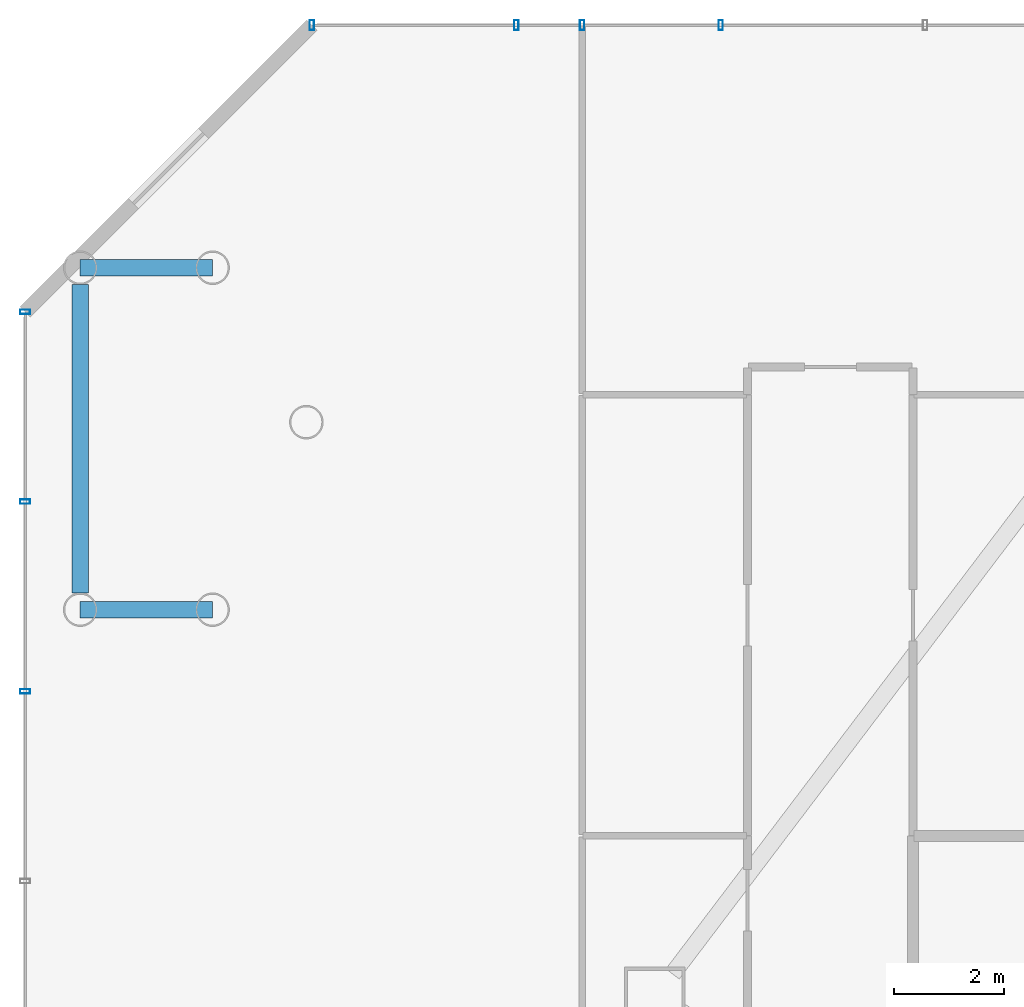
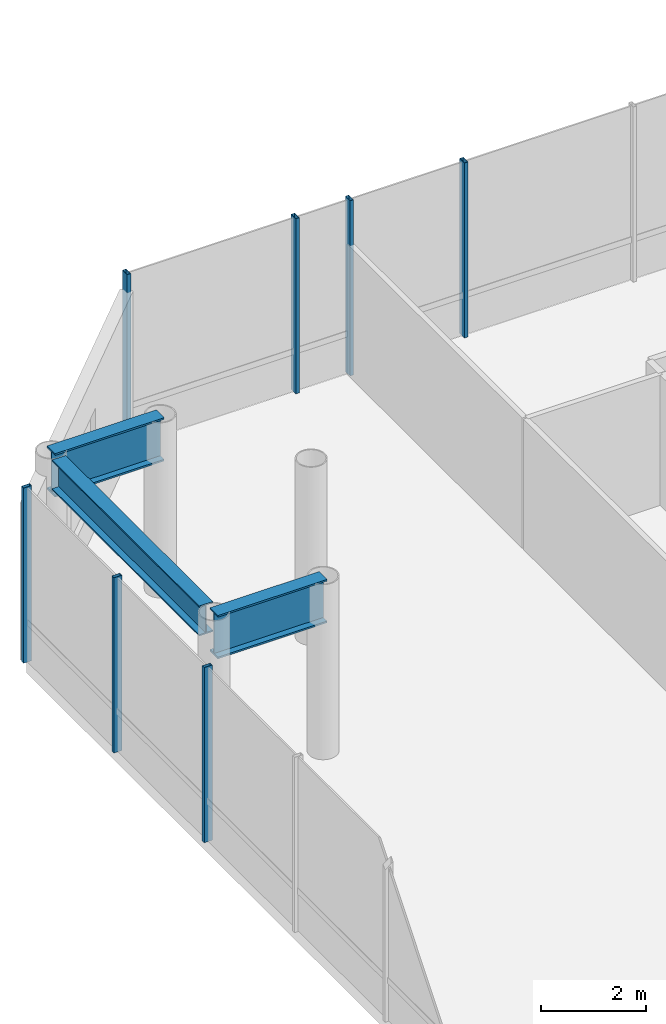
# One storey, part 16 of 33: 7 members, 3 beams, 2 elements without a shape of their own.
"""IFC4 building model written with IfcOpenShell, lengths in metres."""

from ifc_helpers import new_model, si_unit, direction, frame, origin, origin_2d, place, context, subcontext, project, spatial, hollow_rectangle, i_section, extrude, material, layer, layer_set, material_profile, profile_set, type_object, element, aggregate, save


model = new_model("IFC4")

# Units and contexts
model_context = context("Model", 3, precision=1e-05, world=origin(), true_north=direction((0.0, 1.0)))
body_context = subcontext(model_context, "Body", "Model", "MODEL_VIEW")
ifc_project = project(units=[si_unit("LENGTHUNIT", "METRE"), si_unit("AREAUNIT", "SQUARE_METRE"), si_unit("VOLUMEUNIT", "CUBIC_METRE"), si_unit("PLANEANGLEUNIT", "RADIAN"), si_unit("MASSUNIT", "GRAM", prefix="KILO")], contexts=[model_context])

# Site, building, storey
site_placement = place(None, origin())
site = spatial("IfcSite", under=ifc_project, at=site_placement, CompositionType="ELEMENT")
building_placement = place(site_placement, origin())
building = spatial("IfcBuilding", under=site, at=building_placement, Name="Zarrinselat Tower", CompositionType="ELEMENT")
storey_placement = place(building_placement, frame((0.0, 0.0, 18.360107421875)))
storey = spatial("IfcBuildingStorey", under=building, at=storey_placement, Name="L04", CompositionType="ELEMENT", Elevation=18.360107421875)

# Beams
ifc_material_1 = material(Name="Steel S355J2", Category="steel")
ifc_material_profile_1 = material_profile(ifc_material_1, i_section(OverallWidth=0.300048828125, OverallDepth=0.699951171875, WebThickness=0.01708984375, FlangeThickness=0.031982421875, at=origin_2d()), Name="HEB 700")
ifc_profile_set_1 = profile_set([ifc_material_profile_1], Name="Steel S355J2")
beam_type_1 = type_object("IfcBeamType", Name="BM-HEB700", PredefinedType="SPANDREL", material=ifc_profile_set_1)
beam_placement = place(storey_placement, frame((6.39990234375, 40.89990234375, 3.719970703125), z_axis=(0.0, 1.0, 0.0), x_axis=(-1.0, 0.0, 0.0)))
element("IfcBeam", 1, at=beam_placement, inside=storey, type_object=beam_type_1, Name="L04 Podium Perimeter Beam W-40", PredefinedType="SPANDREL", context=body_context, shape_type="SweptSolid", body=[
    extrude(i_section(OverallWidth=0.300048828125, OverallDepth=0.699951171875, WebThickness=0.01708984375, FlangeThickness=0.031982421875, at=origin_2d()), origin(), (0.0, 0.0, 1.0), 5.60009765625),
])
ifc_material_2 = material(Name="Steel S460M", Category="steel")
ifc_material_profile_2 = material_profile(ifc_material_2, i_section(OverallWidth=0.302001953125, OverallDepth=1.008056640625, WebThickness=0.02099609375, FlangeThickness=0.0400390625, at=origin_2d()), Name="HEM 1000")
ifc_profile_set_2 = profile_set([ifc_material_profile_2], Name="Steel S460M")
beam_type_2 = type_object("IfcBeamType", Name="BM-PDTR-HEM1000", PredefinedType="BEAM", material=ifc_profile_set_2)
for number, where, z_axis, x_axis, name in (
    (2, (6.39990234375, 40.60009765625, 3.56591796875), (1.0, 0.0, 0.0), (0.0, 1.0, 0.0), "L04 Podium Transfer Girder W-40"),
    (3, (6.39990234375, 46.800048828125, 3.56591796875), (1.0, 0.0, 0.0), (0.0, 1.0, 0.0), "L04 Podium Transfer Girder W-46"),
):
    element("IfcBeam", number, at=place(storey_placement, frame(where, z_axis=z_axis, x_axis=x_axis)), inside=storey, type_object=beam_type_2, Name=name, PredefinedType="BEAM", context=body_context, shape_type="SweptSolid", body=[
        extrude(i_section(OverallWidth=0.302001953125, OverallDepth=1.008056640625, WebThickness=0.02099609375, FlangeThickness=0.0400390625, at=origin_2d()), origin(), (0.0, 0.0, 1.0), 2.400146484375),
    ])

# Curtain wall, members
ifc_material_3 = material(Name="Extruded Aluminium Alloy EN AW-6063 T6", Category="aluminium")
ifc_layer = layer(ifc_material_3, 0.2099609375)
ifc_layer_set = layer_set([ifc_layer], Name="Extruded Aluminium Alloy EN AW-6063 T6")
curtain_wall_type = type_object("IfcCurtainWallType", Name="CWS-POD", PredefinedType="NOTDEFINED", material=ifc_layer_set)
curtain_wall_1_placement = place(storey_placement, origin())
curtain_wall_1 = element("IfcCurtainWall", 4, at=curtain_wall_1_placement, inside=storey, type_object=curtain_wall_type, Name="L04 Unitised Curtain Wall CW-L04-F5", PredefinedType="NOTDEFINED")
ifc_material_4 = material(Name="Extruded Aluminium Alloy EN AW-6063 T6", Category="aluminium")
ifc_material_profile_3 = material_profile(ifc_material_4, hollow_rectangle(XDim=0.080078125, YDim=0.179931640625, WallThickness=0.0048828125, at=origin_2d()), Name="RHS 180x80x5")
ifc_profile_set_3 = profile_set([ifc_material_profile_3], Name="Extruded Aluminium Alloy EN AW-6063 T6")
member_type = type_object("IfcMemberType", Name="MEM-CW-MUL", PredefinedType="MULLION", material=ifc_profile_set_3)
member_1_placement = place(storey_placement, frame((18.01318359375, 51.199951171875, 0.0), z_axis=(0.0, 0.0, 1.0), x_axis=(-1.0, 0.0, 0.0)))
member_1 = element("IfcMember", 5, at=member_1_placement, type_object=member_type, Name="CW-L04-F5 Mullion 13", PredefinedType="MULLION", context=body_context, shape_type="SweptSolid", body=[
    extrude(hollow_rectangle(XDim=0.080078125, YDim=0.179931640625, WallThickness=0.0048828125, at=origin_2d()), origin(), (0.0, 0.0, 1.0), 4.06982421875),
])
member_2_placement = place(storey_placement, frame((15.5, 51.199951171875, 0.0), z_axis=(0.0, 0.0, 1.0), x_axis=(-1.0, 0.0, 0.0)))
member_2 = element("IfcMember", 6, at=member_2_placement, type_object=member_type, Name="CW-L04-F5 Mullion 14", PredefinedType="MULLION", context=body_context, shape_type="SweptSolid", body=[
    extrude(hollow_rectangle(XDim=0.080078125, YDim=0.179931640625, WallThickness=0.0048828125, at=origin_2d()), origin(), (0.0, 0.0, 1.0), 4.06982421875),
])
member_3_placement = place(storey_placement, frame((14.306640625, 51.199951171875, 0.0), z_axis=(0.0, 0.0, 1.0), x_axis=(-1.0, 0.0, 0.0)))
member_3 = element("IfcMember", 7, at=member_3_placement, type_object=member_type, Name="CW-L04-F5 Mullion 15", PredefinedType="MULLION", context=body_context, shape_type="SweptSolid", body=[
    extrude(hollow_rectangle(XDim=0.080078125, YDim=0.179931640625, WallThickness=0.0048828125, at=origin_2d()), origin(), (0.0, 0.0, 1.0), 4.06982421875),
])
member_4_placement = place(storey_placement, frame((10.60009765625, 51.199951171875, 0.0), z_axis=(0.0, 0.0, 1.0), x_axis=(-1.0, 0.0, 0.0)))
member_4 = element("IfcMember", 8, at=member_4_placement, type_object=member_type, Name="CW-L04-F5 Mullion 16", PredefinedType="MULLION", context=body_context, shape_type="SweptSolid", body=[
    extrude(hollow_rectangle(XDim=0.080078125, YDim=0.179931640625, WallThickness=0.0048828125, at=origin_2d()), origin(), (0.0, 0.0, 1.0), 4.06982421875),
])
aggregate(curtain_wall_1, [member_1, member_2, member_3, member_4])

curtain_wall_2_placement = place(storey_placement, origin())
curtain_wall_2 = element("IfcCurtainWall", 9, at=curtain_wall_2_placement, inside=storey, type_object=curtain_wall_type, Name="L04 Unitised Curtain Wall CW-L04-F7", PredefinedType="NOTDEFINED")
member_5_placement = place(storey_placement, frame((5.39990234375, 46.0, 0.0), z_axis=(0.0, 0.0, 1.0), x_axis=(0.0, -1.0, 0.0)))
member_5 = element("IfcMember", 10, at=member_5_placement, type_object=member_type, Name="CW-L04-F7 Mullion 0", PredefinedType="MULLION", context=body_context, shape_type="SweptSolid", body=[
    extrude(hollow_rectangle(XDim=0.080078125, YDim=0.179931640625, WallThickness=0.0048828125, at=origin_2d()), origin(), (0.0, 0.0, 1.0), 4.06982421875),
])
member_6_placement = place(storey_placement, frame((5.39990234375, 42.56005859375, 0.0), z_axis=(0.0, 0.0, 1.0), x_axis=(0.0, -1.0, 0.0)))
member_6 = element("IfcMember", 11, at=member_6_placement, type_object=member_type, Name="CW-L04-F7 Mullion 1", PredefinedType="MULLION", context=body_context, shape_type="SweptSolid", body=[
    extrude(hollow_rectangle(XDim=0.080078125, YDim=0.179931640625, WallThickness=0.0048828125, at=origin_2d()), origin(), (0.0, 0.0, 1.0), 4.06982421875),
])
member_7_placement = place(storey_placement, frame((5.39990234375, 39.1201171875, 0.0), z_axis=(0.0, 0.0, 1.0), x_axis=(0.0, -1.0, 0.0)))
member_7 = element("IfcMember", 12, at=member_7_placement, type_object=member_type, Name="CW-L04-F7 Mullion 2", PredefinedType="MULLION", context=body_context, shape_type="SweptSolid", body=[
    extrude(hollow_rectangle(XDim=0.080078125, YDim=0.179931640625, WallThickness=0.0048828125, at=origin_2d()), origin(), (0.0, 0.0, 1.0), 4.06982421875),
])
aggregate(curtain_wall_2, [member_5, member_6, member_7])

save(model, "model.ifc")
